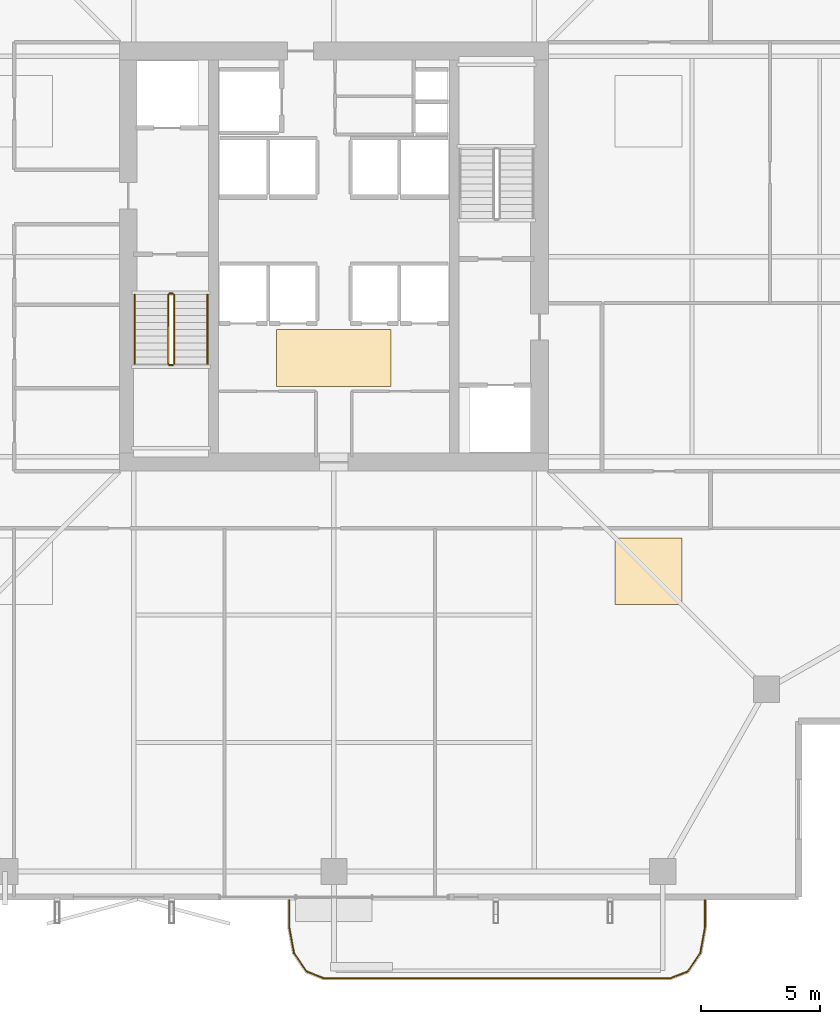
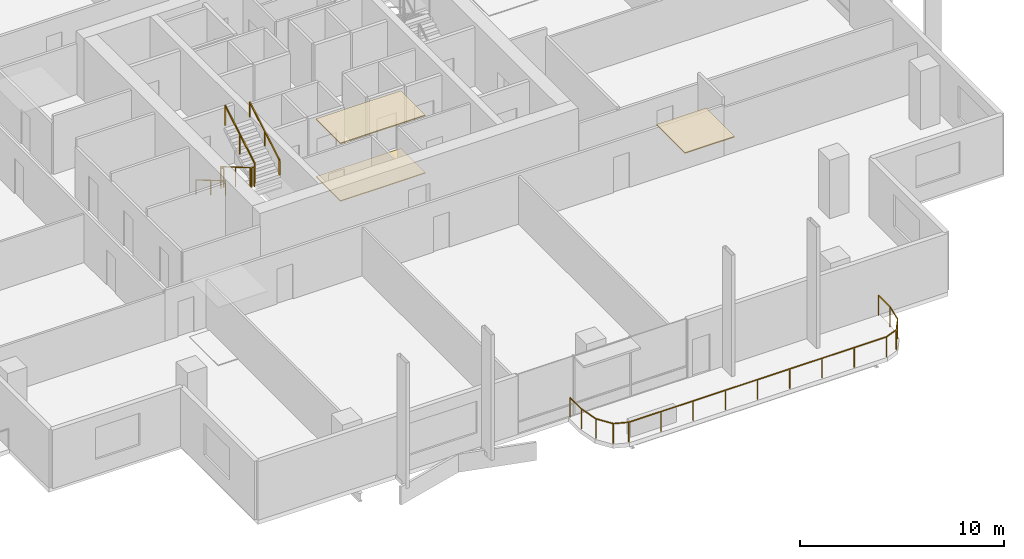
# One storey, part 22 of 24: 7 railings, 3 coverings.
"""IFC4 building model written with IfcOpenShell, lengths in metres."""

from ifc_helpers import new_model, si_unit, direction, frame, origin, origin_2d, place, context, subcontext, project, spatial, polyline, rectangle, outline, extrude, material, layer, layer_set, type_object, element, save


model = new_model("IFC4")

# Units and contexts
model_context = context("Model", 3, precision=1e-05, world=origin(), true_north=direction((0.0, 1.0)))
body_context = subcontext(model_context, "Body", "Model", "MODEL_VIEW")
ifc_project = project(units=[si_unit("LENGTHUNIT", "METRE"), si_unit("AREAUNIT", "SQUARE_METRE"), si_unit("VOLUMEUNIT", "CUBIC_METRE"), si_unit("PLANEANGLEUNIT", "RADIAN"), si_unit("MASSUNIT", "GRAM", prefix="KILO")], contexts=[model_context])

# Site, building, storey
site_placement = place(None, origin())
site = spatial("IfcSite", under=ifc_project, at=site_placement, CompositionType="ELEMENT")
building_placement = place(site_placement, origin())
building = spatial("IfcBuilding", under=site, at=building_placement, Name="Belovzor Exchange Tower", CompositionType="ELEMENT")
storey_placement = place(building_placement, frame((0.0, 0.0, 233.699951171875)))
storey = spatial("IfcBuildingStorey", under=building, at=storey_placement, Name="L58", CompositionType="ELEMENT", Elevation=233.699951171875)

# Railings
ifc_material_1 = material(Name="Stainless Steel Grade 304", Category="steel")
railing_type_1 = type_object("IfcRailingType", Name="Brushed Stainless Steel Stair Handrail 900", PredefinedType="HANDRAIL", material=ifc_material_1)
railing_1_placement = place(storey_placement, frame((20.449951171875, 27.199951171875, 0.17041015625)))
element("IfcRailing", 1, at=railing_1_placement, inside=storey, type_object=railing_type_1, Name="L58 ST-1 stair handrail 1", PredefinedType="HANDRAIL", context=body_context, shape_type="SweptSolid", body=[
    extrude(rectangle(XDim=0.048095703125, YDim=0.048095703125, at=origin_2d()), frame((0.0, 0.0, 0.8759765625), z_axis=(0.0, -0.86209462966, 0.506747323142), x_axis=(1.0, 0.0, 0.0)), (0.0, 0.0, 1.0), 3.36376953125),
    extrude(rectangle(XDim=0.0419921875, YDim=0.0419921875, at=origin_2d()), origin(), (0.0, 0.0, 1.0), 0.851806640625),
    extrude(rectangle(XDim=0.0419921875, YDim=0.0419921875, at=origin_2d()), frame((0.0, -1.449951171875, 0.852294921875)), (0.0, 0.0, 1.0), 0.851806640625),
    extrude(rectangle(XDim=0.0419921875, YDim=0.0419921875, at=origin_2d()), frame((0.0, -2.89990234375, 1.70458984375)), (0.0, 0.0, 1.0), 0.851806640625),
])
railing_2_placement = place(storey_placement, frame((23.5, 24.300048828125, 2.04541015625)))
element("IfcRailing", 2, at=railing_2_placement, inside=storey, type_object=railing_type_1, Name="L58 ST-1 stair handrail 2", PredefinedType="HANDRAIL", context=body_context, shape_type="SweptSolid", body=[
    extrude(rectangle(XDim=0.048095703125, YDim=0.048095703125, at=origin_2d()), frame((0.0, 0.0, 0.8759765625), z_axis=(0.0, 0.86209462966, 0.506747323142), x_axis=(-1.0, 0.0, 0.0)), (0.0, 0.0, 1.0), 3.36376953125),
    extrude(rectangle(XDim=0.0419921875, YDim=0.0419921875, at=origin_2d()), origin(), (0.0, 0.0, 1.0), 0.851806640625),
    extrude(rectangle(XDim=0.0419921875, YDim=0.0419921875, at=origin_2d()), frame((0.0, 1.449951171875, 0.852294921875)), (0.0, 0.0, 1.0), 0.851806640625),
    extrude(rectangle(XDim=0.0419921875, YDim=0.0419921875, at=origin_2d()), frame((0.0, 2.89990234375, 1.70458984375)), (0.0, 0.0, 1.0), 0.851806640625),
])
ifc_material_2 = material(Name="Stainless Steel and Laminated Safety Glass", Category="steel")
railing_type_2 = type_object("IfcRailingType", Name="Laminated Glass & Stainless Steel Balcony Balustrade 1200", PredefinedType="BALUSTRADE", material=ifc_material_2)
railing_3_placement = place(storey_placement, frame((26.929931640625, 1.7900390625, 0.0)))
element("IfcRailing", 3, at=railing_3_placement, inside=storey, type_object=railing_type_2, Name="GR-1 Balcony Balustrade L58 South", PredefinedType="BALUSTRADE", context=body_context, shape_type="SweptSolid", body=[
    extrude(rectangle(XDim=0.048095703125, YDim=0.048095703125, at=origin_2d()), frame((0.0, 0.0, 1.17578125), z_axis=(0.0, -1.0, 0.0), x_axis=(1.0, 0.0, 0.0)), (0.0, 0.0, 1.0), 1.133056640625),
    extrude(rectangle(XDim=0.048095703125, YDim=0.048095703125, at=origin_2d()), frame((0.0, -1.133056640625, 1.17578125), z_axis=(0.180122719713, -0.983644145941, 0.0), x_axis=(0.983644145941, 0.180122719713, 0.0)), (0.0, 0.0, 1.0), 1.09375),
    extrude(rectangle(XDim=0.048095703125, YDim=0.048095703125, at=origin_2d()), frame((0.197021484375, -2.208984375, 1.17578125), z_axis=(0.56294695933, -0.826493025367, 0.0), x_axis=(0.826493025367, 0.56294695933, 0.0)), (0.0, 0.0, 1.0), 0.932861328125),
    extrude(rectangle(XDim=0.048095703125, YDim=0.048095703125, at=origin_2d()), frame((0.72216796875, -2.97998046875, 1.17578125), z_axis=(0.930766990125, -0.365612923861, 0.0), x_axis=(0.365612923861, 0.930766990125, 0.0)), (0.0, 0.0, 1.0), 0.765869140625),
    extrude(rectangle(XDim=0.048095703125, YDim=0.048095703125, at=origin_2d()), frame((1.43505859375, -3.260009765625, 1.17578125), z_axis=(1.0, 0.0, 0.0), x_axis=(0.0, 1.0, 0.0)), (0.0, 0.0, 1.0), 14.570068359375),
    extrude(rectangle(XDim=0.048095703125, YDim=0.048095703125, at=origin_2d()), frame((16.005126953125, -3.260009765625, 1.17578125), z_axis=(0.930766990125, 0.365612923861, 0.0), x_axis=(-0.365612923861, 0.930766990125, 0.0)), (0.0, 0.0, 1.0), 0.765869140625),
    extrude(rectangle(XDim=0.048095703125, YDim=0.048095703125, at=origin_2d()), frame((16.718017578125, -2.97998046875, 1.17578125), z_axis=(0.56294695933, 0.826493025367, 0.0), x_axis=(-0.826493025367, 0.56294695933, 0.0)), (0.0, 0.0, 1.0), 0.932861328125),
    extrude(rectangle(XDim=0.048095703125, YDim=0.048095703125, at=origin_2d()), frame((17.2431640625, -2.208984375, 1.17578125), z_axis=(0.180122719713, 0.983644145941, 0.0), x_axis=(-0.983644145941, 0.180122719713, 0.0)), (0.0, 0.0, 1.0), 1.09375),
    extrude(rectangle(XDim=0.048095703125, YDim=0.048095703125, at=origin_2d()), frame((17.440185546875, -1.133056640625, 1.17578125), z_axis=(0.0, 1.0, 0.0), x_axis=(-1.0, 0.0, 0.0)), (0.0, 0.0, 1.0), 1.133056640625),
    extrude(rectangle(XDim=0.0419921875, YDim=0.0419921875, at=origin_2d()), origin(), (0.0, 0.0, 1.0), 1.15185546875),
    extrude(rectangle(XDim=0.0419921875, YDim=0.0419921875, at=origin_2d()), frame((0.0, -1.133056640625, 0.0)), (0.0, 0.0, 1.0), 1.15185546875),
    extrude(rectangle(XDim=0.0419921875, YDim=0.0419921875, at=origin_2d()), frame((0.197021484375, -2.208984375, 0.0)), (0.0, 0.0, 1.0), 1.15185546875),
    extrude(rectangle(XDim=0.0419921875, YDim=0.0419921875, at=origin_2d()), frame((0.72216796875, -2.97998046875, 0.0)), (0.0, 0.0, 1.0), 1.15185546875),
    extrude(rectangle(XDim=0.0419921875, YDim=0.0419921875, at=origin_2d()), frame((1.43505859375, -3.260009765625, 0.0)), (0.0, 0.0, 1.0), 1.15185546875),
    extrude(rectangle(XDim=0.0419921875, YDim=0.0419921875, at=origin_2d()), frame((3.25634765625, -3.260009765625, 0.0)), (0.0, 0.0, 1.0), 1.15185546875),
    extrude(rectangle(XDim=0.0419921875, YDim=0.0419921875, at=origin_2d()), frame((5.07763671875, -3.260009765625, 0.0)), (0.0, 0.0, 1.0), 1.15185546875),
    extrude(rectangle(XDim=0.0419921875, YDim=0.0419921875, at=origin_2d()), frame((6.89892578125, -3.260009765625, 0.0)), (0.0, 0.0, 1.0), 1.15185546875),
    extrude(rectangle(XDim=0.0419921875, YDim=0.0419921875, at=origin_2d()), frame((8.72021484375, -3.260009765625, 0.0)), (0.0, 0.0, 1.0), 1.15185546875),
    extrude(rectangle(XDim=0.0419921875, YDim=0.0419921875, at=origin_2d()), frame((10.541259765625, -3.260009765625, 0.0)), (0.0, 0.0, 1.0), 1.15185546875),
    extrude(rectangle(XDim=0.0419921875, YDim=0.0419921875, at=origin_2d()), frame((12.362548828125, -3.260009765625, 0.0)), (0.0, 0.0, 1.0), 1.15185546875),
    extrude(rectangle(XDim=0.0419921875, YDim=0.0419921875, at=origin_2d()), frame((14.183837890625, -3.260009765625, 0.0)), (0.0, 0.0, 1.0), 1.15185546875),
    extrude(rectangle(XDim=0.0419921875, YDim=0.0419921875, at=origin_2d()), frame((16.005126953125, -3.260009765625, 0.0)), (0.0, 0.0, 1.0), 1.15185546875),
    extrude(rectangle(XDim=0.0419921875, YDim=0.0419921875, at=origin_2d()), frame((16.718017578125, -2.97998046875, 0.0)), (0.0, 0.0, 1.0), 1.15185546875),
    extrude(rectangle(XDim=0.0419921875, YDim=0.0419921875, at=origin_2d()), frame((17.2431640625, -2.208984375, 0.0)), (0.0, 0.0, 1.0), 1.15185546875),
    extrude(rectangle(XDim=0.0419921875, YDim=0.0419921875, at=origin_2d()), frame((17.440185546875, -1.133056640625, 0.0)), (0.0, 0.0, 1.0), 1.15185546875),
    extrude(rectangle(XDim=0.0419921875, YDim=0.0419921875, at=origin_2d()), frame((17.440185546875, 0.0, 0.0)), (0.0, 0.0, 1.0), 1.15185546875),
])
ifc_material_3 = material(Name="Steel S355", Category="steel")
railing_type_3 = type_object("IfcRailingType", Name="Painted Steel Stairwell Guardrail 1200", PredefinedType="GUARDRAIL", material=ifc_material_3)
railing_4_placement = place(storey_placement, frame((21.85009765625, 27.199951171875, 0.17041015625)))
element("IfcRailing", 4, at=railing_4_placement, inside=storey, type_object=railing_type_3, Name="L58 ST-1 stair guard 1", PredefinedType="GUARDRAIL", context=body_context, shape_type="SweptSolid", body=[
    extrude(rectangle(XDim=0.048095703125, YDim=0.048095703125, at=origin_2d()), frame((0.0, 0.0, 1.17578125), z_axis=(0.0, -0.86209462966, 0.506747323142), x_axis=(1.0, 0.0, 0.0)), (0.0, 0.0, 1.0), 3.36376953125),
    extrude(rectangle(XDim=0.0419921875, YDim=0.0419921875, at=origin_2d()), origin(), (0.0, 0.0, 1.0), 1.15185546875),
    extrude(rectangle(XDim=0.0419921875, YDim=0.0419921875, at=origin_2d()), frame((0.0, -1.449951171875, 0.852294921875)), (0.0, 0.0, 1.0), 1.15185546875),
    extrude(rectangle(XDim=0.0419921875, YDim=0.0419921875, at=origin_2d()), frame((0.0, -2.89990234375, 1.70458984375)), (0.0, 0.0, 1.0), 1.15185546875),
])
railing_5_placement = place(storey_placement, frame((21.89990234375, 24.25, 1.875)))
element("IfcRailing", 5, at=railing_5_placement, inside=storey, type_object=railing_type_3, Name="L58 ST-1 stair guard 2", PredefinedType="GUARDRAIL", context=body_context, shape_type="SweptSolid", body=[
    extrude(rectangle(XDim=0.048095703125, YDim=0.048095703125, at=origin_2d()), frame((0.0, 0.0, 1.17578125), z_axis=(1.0, 0.0, 0.0), x_axis=(0.0, 1.0, 0.0)), (0.0, 0.0, 1.0), 0.150146484375),
    extrude(rectangle(XDim=0.0419921875, YDim=0.0419921875, at=origin_2d()), origin(), (0.0, 0.0, 1.0), 1.15185546875),
    extrude(rectangle(XDim=0.0419921875, YDim=0.0419921875, at=origin_2d()), frame((0.150146484375, 0.0, 0.0)), (0.0, 0.0, 1.0), 1.15185546875),
])
railing_6_placement = place(storey_placement, frame((22.10009765625, 24.300048828125, 2.04541015625)))
element("IfcRailing", 6, at=railing_6_placement, inside=storey, type_object=railing_type_3, Name="L58 ST-1 stair guard 3", PredefinedType="GUARDRAIL", context=body_context, shape_type="SweptSolid", body=[
    extrude(rectangle(XDim=0.048095703125, YDim=0.048095703125, at=origin_2d()), frame((0.0, 0.0, 1.17578125), z_axis=(0.0, 0.86209462966, 0.506747323142), x_axis=(-1.0, 0.0, 0.0)), (0.0, 0.0, 1.0), 3.36376953125),
    extrude(rectangle(XDim=0.0419921875, YDim=0.0419921875, at=origin_2d()), origin(), (0.0, 0.0, 1.0), 1.15185546875),
    extrude(rectangle(XDim=0.0419921875, YDim=0.0419921875, at=origin_2d()), frame((0.0, 1.449951171875, 0.852294921875)), (0.0, 0.0, 1.0), 1.15185546875),
    extrude(rectangle(XDim=0.0419921875, YDim=0.0419921875, at=origin_2d()), frame((0.0, 2.89990234375, 1.70458984375)), (0.0, 0.0, 1.0), 1.15185546875),
])
railing_7_placement = place(storey_placement, frame((21.89990234375, 27.25, 0.0)))
element("IfcRailing", 7, at=railing_7_placement, inside=storey, type_object=railing_type_3, Name="L58 ST-1 stair guard 4", PredefinedType="GUARDRAIL", context=body_context, shape_type="SweptSolid", body=[
    extrude(rectangle(XDim=0.048095703125, YDim=0.048095703125, at=origin_2d()), frame((0.0, 0.0, 1.17578125), z_axis=(1.0, 0.0, 0.0), x_axis=(0.0, 1.0, 0.0)), (0.0, 0.0, 1.0), 0.150146484375),
    extrude(rectangle(XDim=0.0419921875, YDim=0.0419921875, at=origin_2d()), origin(), (0.0, 0.0, 1.0), 1.15185546875),
    extrude(rectangle(XDim=0.0419921875, YDim=0.0419921875, at=origin_2d()), frame((0.150146484375, 0.0, 0.0)), (0.0, 0.0, 1.0), 1.15185546875),
])

# Coverings
ifc_material_4 = material(Name="Perforated Powder-Coated Aluminium", Category="aluminium")
ifc_layer_1 = layer(ifc_material_4, 0.06005859375)
ifc_layer_set_1 = layer_set([ifc_layer_1], Name="Perforated Powder-Coated Aluminium")
covering_type_1 = type_object("IfcCoveringType", Name="Perforated Acoustic Metal Tile Suspended Ceiling 60", PredefinedType="CEILING", material=ifc_layer_set_1)
covering_1_placement = place(storey_placement, frame((0.0, 0.0, 3.43994140625)))
element("IfcCovering", 8, at=covering_1_placement, inside=storey, type_object=covering_type_1, Name="CLG-AC60 Suspended Ceiling CLG-L58-LOB", PredefinedType="CEILING", context=body_context, shape_type="SweptSolid", body=[
    extrude(outline(polyline([(26.39990234375, 23.35009765625), (31.199951171875, 23.35009765625), (31.199951171875, 25.75), (26.39990234375, 25.75), (26.39990234375, 23.35009765625)])), origin(), (0.0, 0.0, 1.0), 0.06005859375),
])
covering_2_placement = place(storey_placement, frame((0.0, 0.0, 3.43994140625)))
element("IfcCovering", 9, at=covering_2_placement, inside=storey, type_object=covering_type_1, Name="CLG-AC60 Suspended Ceiling CLG-L58-Z1", PredefinedType="CEILING", context=body_context, shape_type="SweptSolid", body=[
    extrude(outline(polyline([(40.60009765625, 14.199951171875), (43.39990234375, 14.199951171875), (43.39990234375, 17.0), (40.60009765625, 17.0), (40.60009765625, 14.199951171875)])), origin(), (0.0, 0.0, 1.0), 0.06005859375),
])
ifc_material_5 = material(Name="Polished Natural Granite Tile", Category="masonry")
ifc_layer_2 = layer(ifc_material_5, 0.050048828125)
ifc_layer_set_2 = layer_set([ifc_layer_2], Name="Polished Natural Granite Tile")
covering_type_2 = type_object("IfcCoveringType", Name="Polished Karelian Granite & Raised Access Floor Finish 50", PredefinedType="FLOORING", material=ifc_layer_set_2)
covering_3_placement = place(storey_placement, origin())
element("IfcCovering", 10, at=covering_3_placement, inside=storey, type_object=covering_type_2, Name="FLR-GR50 Floor Finish FLR-L58-LOB", PredefinedType="FLOORING", context=body_context, shape_type="SweptSolid", body=[
    extrude(outline(polyline([(26.39990234375, 23.35009765625), (31.199951171875, 23.35009765625), (31.199951171875, 25.75), (26.39990234375, 25.75), (26.39990234375, 23.35009765625)])), origin(), (0.0, 0.0, 1.0), 0.050048828125),
])

save(model, "model.ifc")
